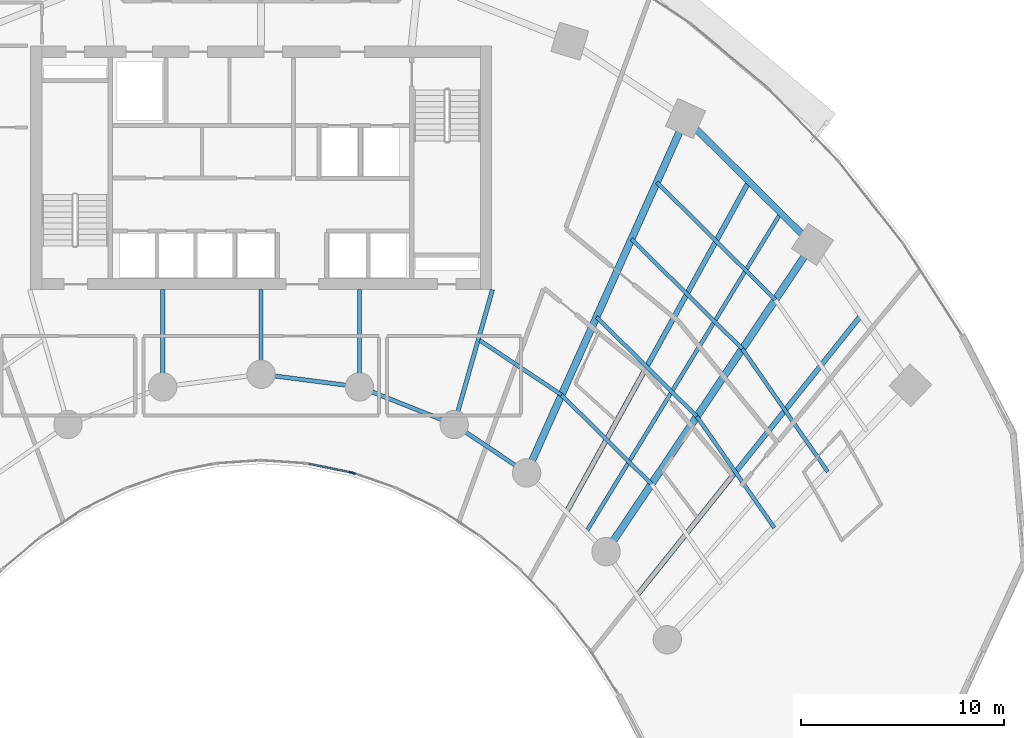
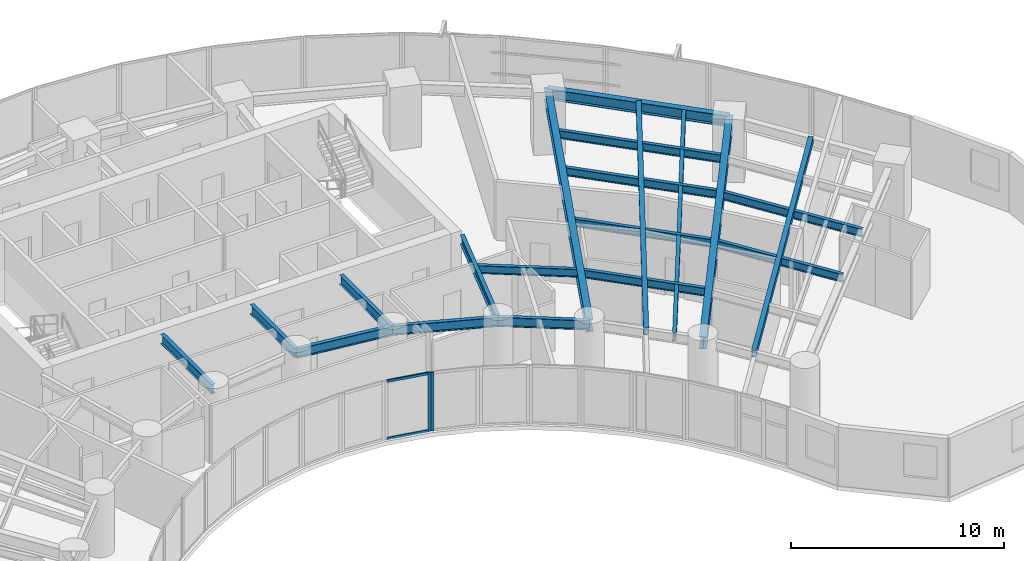
# One storey, part 5 of 17: 20 beams, 4 members, 2 elements without a shape of their own.
"""IFC4 building model written with IfcOpenShell, lengths in metres."""

from ifc_helpers import new_model, si_unit, direction, frame, origin, origin_2d, place, context, subcontext, project, spatial, rectangle, hollow_rectangle, i_section, extrude, source, transform, mapped, material, layer, layer_set, material_profile, profile_set, type_object, type_shapes, element, aggregate, save


model = new_model("IFC4")

# Units and contexts
model_context = context("Model", 3, precision=1e-05, world=origin(), true_north=direction((0.0, 1.0)))
body_context = subcontext(model_context, "Body", "Model", "MODEL_VIEW")
ifc_project = project(units=[si_unit("LENGTHUNIT", "METRE"), si_unit("AREAUNIT", "SQUARE_METRE"), si_unit("VOLUMEUNIT", "CUBIC_METRE"), si_unit("PLANEANGLEUNIT", "RADIAN"), si_unit("MASSUNIT", "GRAM", prefix="KILO")], contexts=[model_context])

# Site, building, storey
site_placement = place(None, origin())
site = spatial("IfcSite", under=ifc_project, at=site_placement, CompositionType="ELEMENT")
building_placement = place(site_placement, origin())
building = spatial("IfcBuilding", under=site, at=building_placement, Name="Breltana Convention Tower", CompositionType="ELEMENT")
storey_placement = place(building_placement, frame((0.0, 0.0, 75.0)))
storey = spatial("IfcBuildingStorey", under=building, at=storey_placement, Name="L17", CompositionType="ELEMENT", Elevation=75.0)

# Beams
ifc_material_1 = material(Name="Steel ASTM A992 Grade 50", Category="steel")
ifc_material_profile_1 = material_profile(ifc_material_1, i_section(OverallWidth=0.323974609375, OverallDepth=0.611083984375, WebThickness=0.0126953125, FlangeThickness=0.01904296875, at=origin_2d()), Name="W24X104")
ifc_profile_set_1 = profile_set([ifc_material_profile_1], Name="Steel ASTM A992 Grade 50")
beam_type_1 = type_object("IfcBeamType", Name="BM-SP-W24X104", PredefinedType="SPANDREL", material=ifc_profile_set_1)
shared_shape_1 = source(origin(), body_context, "Body", "SweptSolid", [
    extrude(i_section(OverallWidth=0.323974609375, OverallDepth=0.611083984375, WebThickness=0.0126953125, FlangeThickness=0.01904296875, at=origin_2d()), origin(), (0.0, 0.0, 1.0), 8.810302734375),
])
beam_1_placement = place(storey_placement, frame((68.910400390625, 68.63330078125, 3.054443359375), z_axis=(0.710120823582, -0.704079836322, 0.0), x_axis=(0.704079836322, 0.710120823582, 0.0)))
element("IfcBeam", 1, at=beam_1_placement, inside=storey, type_object=beam_type_1, Name="L17 Outer Spandrel Beam 09", PredefinedType="SPANDREL", context=body_context, shape_type="MappedRepresentation", body=[
    mapped(shared_shape_1, transform((0.0, 0.0, 0.0), scale=1.0)),
])
ifc_material_profile_2 = material_profile(ifc_material_1, i_section(OverallWidth=0.2099609375, OverallDepth=0.537109375, WebThickness=0.010986328125, FlangeThickness=0.017333984375, at=origin_2d()), Name="W21X68")
ifc_profile_set_2 = profile_set([ifc_material_profile_2], Name="Steel ASTM A992 Grade 50")
beam_type_2 = type_object("IfcBeamType", Name="BM-BM-W21X68", PredefinedType="BEAM", material=ifc_profile_set_2)
shared_shape_2 = source(origin(), body_context, "Body", "SweptSolid", [
    extrude(i_section(OverallWidth=0.2099609375, OverallDepth=0.537109375, WebThickness=0.010986328125, FlangeThickness=0.017333984375, at=origin_2d()), origin(), (0.0, 0.0, 1.0), 6.904541015625),
])
type_shapes(beam_type_2, [shared_shape_2])
beam_2_placement = place(storey_placement, frame((59.39990234375, 60.199951171875, 3.091552734375), z_axis=(-0.273006781054, -0.962012108811, 0.0), x_axis=(0.962012108811, -0.273006781054, 0.0)))
element("IfcBeam", 2, at=beam_2_placement, inside=storey, type_object=beam_type_2, Name="L17 South Core Tie Girder R08", PredefinedType="BEAM", context=body_context, shape_type="MappedRepresentation", body=[
    mapped(shared_shape_2, transform((0.0, 0.0, 0.0), scale=1.0)),
])
shared_shape_3 = source(origin(), body_context, "Body", "SweptSolid", [
    extrude(i_section(OverallWidth=0.2099609375, OverallDepth=0.537109375, WebThickness=0.010986328125, FlangeThickness=0.017333984375, at=origin_2d()), origin(), (0.0, 0.0, 1.0), 4.789306640625),
])
for number, where, z_axis, x_axis, name in (
    (3, (43.153564453125, 60.199951171875, 3.091552734375), (0.0, -1.0, 0.0), (1.0, 0.0, 0.0), "L17 South Core Tie Girder R05"),
    (4, (52.846435546875, 60.199951171875, 3.091552734375), (0.0, -1.0, 0.0), (1.0, 0.0, 0.0), "L17 South Core Tie Girder R07"),
):
    element("IfcBeam", number, at=place(storey_placement, frame(where, z_axis=z_axis, x_axis=x_axis)), inside=storey, type_object=beam_type_2, Name=name, PredefinedType="BEAM", context=body_context, shape_type="MappedRepresentation", body=[
        mapped(shared_shape_3, transform((0.0, 0.0, 0.0), scale=1.0)),
    ])
shared_shape_4 = source(origin(), body_context, "Body", "SweptSolid", [
    extrude(i_section(OverallWidth=0.2099609375, OverallDepth=0.537109375, WebThickness=0.010986328125, FlangeThickness=0.017333984375, at=origin_2d()), origin(), (0.0, 0.0, 1.0), 4.1640625),
])
beam_3_placement = place(storey_placement, frame((48.0, 60.199951171875, 3.091552734375), z_axis=(0.0, -1.0, 0.0), x_axis=(1.0, 0.0, 0.0)))
element("IfcBeam", 5, at=beam_3_placement, inside=storey, type_object=beam_type_2, Name="L17 South Core Tie Girder R06", PredefinedType="BEAM", context=body_context, shape_type="MappedRepresentation", body=[
    mapped(shared_shape_4, transform((0.0, 0.0, 0.0), scale=1.0)),
])
ifc_material_profile_3 = material_profile(ifc_material_1, i_section(OverallWidth=0.35498046875, OverallDepth=0.696044921875, WebThickness=0.015380859375, FlangeThickness=0.02490234375, at=origin_2d()), Name="W27X146")
ifc_profile_set_3 = profile_set([ifc_material_profile_3], Name="Steel ASTM A992 Grade 50")
beam_type_3 = type_object("IfcBeamType", Name="BM-RG-W27X146", PredefinedType="USERDEFINED", material=ifc_profile_set_3)
shared_shape_5 = source(origin(), body_context, "Body", "SweptSolid", [
    extrude(i_section(OverallWidth=0.35498046875, OverallDepth=0.696044921875, WebThickness=0.015380859375, FlangeThickness=0.02490234375, at=origin_2d()), origin(), (0.0, 0.0, 1.0), 19.133544921875),
])
beam_4_placement = place(storey_placement, frame((61.08203125, 51.174560546875, 3.011962890625), z_axis=(0.409144564164, 0.912469575172, 0.0), x_axis=(-0.912469575172, 0.409144564164, 0.0)))
element("IfcBeam", 6, at=beam_4_placement, inside=storey, type_object=beam_type_3, Name="L17 Radial Floor Girder R09", ObjectType="GIRDER", PredefinedType="USERDEFINED", context=body_context, shape_type="MappedRepresentation", body=[
    mapped(shared_shape_5, transform((0.0, 0.0, 0.0), scale=1.0)),
])
shared_shape_6 = source(origin(), body_context, "Body", "SweptSolid", [
    extrude(i_section(OverallWidth=0.35498046875, OverallDepth=0.696044921875, WebThickness=0.015380859375, FlangeThickness=0.02490234375, at=origin_2d()), origin(), (0.0, 0.0, 1.0), 18.236328125),
])
beam_5_placement = place(storey_placement, frame((64.995849609375, 47.293701171875, 3.011962890625), z_axis=(0.557730360975, 0.830022195153, 0.0), x_axis=(-0.830022195153, 0.557730360975, 0.0)))
element("IfcBeam", 7, at=beam_5_placement, inside=storey, type_object=beam_type_3, Name="L17 Radial Floor Girder R10", ObjectType="GIRDER", PredefinedType="USERDEFINED", context=body_context, shape_type="MappedRepresentation", body=[
    mapped(shared_shape_6, transform((0.0, 0.0, 0.0), scale=1.0)),
])
shared_shape_7 = source(origin(), body_context, "Body", "SweptSolid", [
    extrude(i_section(OverallWidth=0.2099609375, OverallDepth=0.537109375, WebThickness=0.010986328125, FlangeThickness=0.017333984375, at=origin_2d()), origin(), (0.0, 0.0, 1.0), 5.022705078125),
])
beam_6_placement = place(storey_placement, frame((52.846435546875, 55.41064453125, 3.091552734375), z_axis=(0.929458966248, -0.368925507469, 0.0), x_axis=(0.368925507469, 0.929458966248, 0.0)))
element("IfcBeam", 8, at=beam_6_placement, inside=storey, type_object=beam_type_2, Name="L17 Inner Ring Beam 07", PredefinedType="BEAM", context=body_context, shape_type="MappedRepresentation", body=[
    mapped(shared_shape_7, transform((0.0, 0.0, 0.0), scale=1.0)),
])
shared_shape_8 = source(origin(), body_context, "Body", "SweptSolid", [
    extrude(i_section(OverallWidth=0.2099609375, OverallDepth=0.537109375, WebThickness=0.010986328125, FlangeThickness=0.017333984375, at=origin_2d()), origin(), (0.0, 0.0, 1.0), 4.88671875),
])
beam_7_placement = place(storey_placement, frame((48.0, 56.035888671875, 3.091552734375), z_axis=(0.991780525565, -0.127950729231, 0.0), x_axis=(0.127950729231, 0.991780525565, 0.0)))
element("IfcBeam", 9, at=beam_7_placement, inside=storey, type_object=beam_type_2, Name="L17 Inner Ring Beam 06", PredefinedType="BEAM", context=body_context, shape_type="MappedRepresentation", body=[
    mapped(shared_shape_8, transform((0.0, 0.0, 0.0), scale=1.0)),
])
shared_shape_9 = source(origin(), body_context, "Body", "SweptSolid", [
    extrude(i_section(OverallWidth=0.2099609375, OverallDepth=0.537109375, WebThickness=0.010986328125, FlangeThickness=0.017333984375, at=origin_2d()), origin(), (0.0, 0.0, 1.0), 4.2900390625),
])
beam_8_placement = place(storey_placement, frame((57.514892578125, 53.5576171875, 3.091552734375), z_axis=(0.831515827753, -0.555501060482, 0.0), x_axis=(0.555501060482, 0.831515827753, 0.0)))
element("IfcBeam", 10, at=beam_8_placement, inside=storey, type_object=beam_type_2, Name="L17 Inner Ring Beam 08", PredefinedType="BEAM", context=body_context, shape_type="MappedRepresentation", body=[
    mapped(shared_shape_9, transform((0.0, 0.0, 0.0), scale=1.0)),
])
ifc_material_profile_4 = material_profile(ifc_material_1, i_section(OverallWidth=0.19091796875, OverallDepth=0.4599609375, WebThickness=0.010009765625, FlangeThickness=0.01611328125, at=origin_2d()), Name="W18X55")
ifc_profile_set_4 = profile_set([ifc_material_profile_4], Name="Steel ASTM A992 Grade 50")
beam_type_4 = type_object("IfcBeamType", Name="BM-JSG-07", PredefinedType="JOIST", material=ifc_profile_set_4)
shared_shape_10 = source(origin(), body_context, "Body", "SweptSolid", [
    extrude(i_section(OverallWidth=0.19091796875, OverallDepth=0.4599609375, WebThickness=0.010009765625, FlangeThickness=0.01611328125, at=origin_2d()), origin(), (0.0, 0.0, 1.0), 4.854736328125),
])
beam_9_placement = place(storey_placement, frame((58.767578125, 57.71240234375, 3.1298828125), z_axis=(0.831485074305, -0.555547091801, 0.0), x_axis=(0.555547091801, 0.831485074305, 0.0)))
element("IfcBeam", 11, at=beam_9_placement, inside=storey, type_object=beam_type_4, Name="L17 Composite Floor Joist 08.1", PredefinedType="JOIST", context=body_context, shape_type="MappedRepresentation", body=[
    mapped(shared_shape_10, transform((0.0, 0.0, 0.0), scale=1.0)),
])
shared_shape_11 = source(origin(), body_context, "Body", "SweptSolid", [
    extrude(i_section(OverallWidth=0.19091796875, OverallDepth=0.4599609375, WebThickness=0.010009765625, FlangeThickness=0.01611328125, at=origin_2d()), origin(), (0.0, 0.0, 1.0), 6.2373046875),
])
beam_10_placement = place(storey_placement, frame((62.80419921875, 55.015380859375, 3.1298828125), z_axis=(0.710114292485, -0.704086423394, 0.0), x_axis=(0.704086423394, 0.710114292485, 0.0)))
element("IfcBeam", 12, at=beam_10_placement, inside=storey, type_object=beam_type_4, Name="L17 Composite Floor Joist 09.1", PredefinedType="JOIST", context=body_context, shape_type="MappedRepresentation", body=[
    mapped(shared_shape_11, transform((0.0, 0.0, 0.0), scale=1.0)),
])
shared_shape_12 = source(origin(), body_context, "Body", "SweptSolid", [
    extrude(i_section(OverallWidth=0.19091796875, OverallDepth=0.4599609375, WebThickness=0.010009765625, FlangeThickness=0.01611328125, at=origin_2d()), origin(), (0.0, 0.0, 1.0), 6.963134765625),
])
beam_11_placement = place(storey_placement, frame((64.526611328125, 58.8564453125, 3.1298828125), z_axis=(0.71009817493, -0.704102678564, 0.0), x_axis=(0.704102678564, 0.71009817493, 0.0)))
element("IfcBeam", 13, at=beam_11_placement, inside=storey, type_object=beam_type_4, Name="L17 Composite Floor Joist 09.2", PredefinedType="JOIST", context=body_context, shape_type="MappedRepresentation", body=[
    mapped(shared_shape_12, transform((0.0, 0.0, 0.0), scale=1.0)),
])
shared_shape_13 = source(origin(), body_context, "Body", "SweptSolid", [
    extrude(i_section(OverallWidth=0.19091796875, OverallDepth=0.4599609375, WebThickness=0.010009765625, FlangeThickness=0.01611328125, at=origin_2d()), origin(), (0.0, 0.0, 1.0), 7.688720703125),
])
beam_12_placement = place(storey_placement, frame((66.248779296875, 62.697265625, 3.1298828125), z_axis=(0.710101109809, -0.704099718682, 0.0), x_axis=(0.704099718682, 0.710101109809, 0.0)))
element("IfcBeam", 14, at=beam_12_placement, inside=storey, type_object=beam_type_4, Name="L17 Composite Floor Joist 09.3", PredefinedType="JOIST", context=body_context, shape_type="MappedRepresentation", body=[
    mapped(shared_shape_13, transform((0.0, 0.0, 0.0), scale=1.0)),
])
shared_shape_14 = source(origin(), body_context, "Body", "SweptSolid", [
    extrude(i_section(OverallWidth=0.19091796875, OverallDepth=0.4599609375, WebThickness=0.010009765625, FlangeThickness=0.01611328125, at=origin_2d()), origin(), (0.0, 0.0, 1.0), 8.21630859375),
])
beam_13_placement = place(storey_placement, frame((67.50146484375, 65.49072265625, 3.1298828125), z_axis=(0.710101511063, -0.704099314008, 0.0), x_axis=(0.704099314008, 0.710101511063, 0.0)))
element("IfcBeam", 15, at=beam_13_placement, inside=storey, type_object=beam_type_4, Name="L17 Composite Floor Joist 09.4", PredefinedType="JOIST", context=body_context, shape_type="MappedRepresentation", body=[
    mapped(shared_shape_14, transform((0.0, 0.0, 0.0), scale=1.0)),
])
ifc_material_profile_5 = material_profile(ifc_material_1, hollow_rectangle(XDim=0.25, YDim=0.35009765625, WallThickness=0.011962890625, at=origin_2d()), Name="RHS350X250X12")
ifc_profile_set_5 = profile_set([ifc_material_profile_5], Name="Steel ASTM A992 Grade 50")
beam_type_5 = type_object("IfcBeamType", Name="BM-JSG-12", PredefinedType="JOIST", material=ifc_profile_set_5)
shared_shape_15 = source(origin(), body_context, "Body", "SweptSolid", [
    extrude(hollow_rectangle(XDim=0.25, YDim=0.35009765625, WallThickness=0.011962890625, at=origin_2d()), origin(), (0.0, 0.0, 1.0), 18.617431640625),
])
beam_14_placement = place(storey_placement, frame((63.038818359375, 49.234130859375, 3.18505859375), z_axis=(0.483405602507, 0.875396495004, 0.0), x_axis=(-0.875396495004, 0.483405602507, 0.0)))
element("IfcBeam", 16, at=beam_14_placement, inside=storey, type_object=beam_type_5, Name="L17 Mid-Bay Radial Trimmer 09", PredefinedType="JOIST", context=body_context, shape_type="MappedRepresentation", body=[
    mapped(shared_shape_15, transform((0.0, 0.0, 0.0), scale=1.0)),
])
shared_shape_16 = source(origin(), body_context, "Body", "SweptSolid", [
    extrude(i_section(OverallWidth=0.19091796875, OverallDepth=0.4599609375, WebThickness=0.010009765625, FlangeThickness=0.01611328125, at=origin_2d()), origin(), (0.0, 0.0, 1.0), 18.409423828125),
])
beam_15_placement = place(storey_placement, frame((64.017333984375, 48.263916015625, 3.1298828125), z_axis=(0.520682167606, 0.853750596098, 0.0), x_axis=(-0.853750596098, 0.520682167606, 0.0)))
element("IfcBeam", 17, at=beam_15_placement, inside=storey, type_object=beam_type_4, Name="L17 Quarter-Bay Radial Trimmer 09", PredefinedType="JOIST", context=body_context, shape_type="MappedRepresentation", body=[
    mapped(shared_shape_16, transform((0.0, 0.0, 0.0), scale=1.0)),
])
shared_shape_17 = source(origin(), body_context, "Body", "SweptSolid", [
    extrude(i_section(OverallWidth=0.19091796875, OverallDepth=0.4599609375, WebThickness=0.010009765625, FlangeThickness=0.01611328125, at=origin_2d()), origin(), (0.0, 0.0, 1.0), 6.677978515625),
])
beam_16_placement = place(storey_placement, frame((69.47119140625, 53.95361328125, 3.1298828125), z_axis=(0.571193018768, -0.820815774282, 0.0), x_axis=(0.820815774282, 0.571193018768, 0.0)))
element("IfcBeam", 18, at=beam_16_placement, inside=storey, type_object=beam_type_4, Name="L17 Composite Floor Joist 10.2", PredefinedType="JOIST", context=body_context, shape_type="MappedRepresentation", body=[
    mapped(shared_shape_17, transform((0.0, 0.0, 0.0), scale=1.0)),
])
shared_shape_18 = source(origin(), body_context, "Body", "SweptSolid", [
    extrude(i_section(OverallWidth=0.19091796875, OverallDepth=0.4599609375, WebThickness=0.010009765625, FlangeThickness=0.01611328125, at=origin_2d()), origin(), (0.0, 0.0, 1.0), 7.374267578125),
])
beam_17_placement = place(storey_placement, frame((71.70849609375, 57.28369140625, 3.1298828125), z_axis=(0.571229379406, -0.820790470281, 0.0), x_axis=(0.820790470281, 0.571229379406, 0.0)))
element("IfcBeam", 19, at=beam_17_placement, inside=storey, type_object=beam_type_4, Name="L17 Composite Floor Joist 10.3", PredefinedType="JOIST", context=body_context, shape_type="MappedRepresentation", body=[
    mapped(shared_shape_18, transform((0.0, 0.0, 0.0), scale=1.0)),
])
shared_shape_19 = source(origin(), body_context, "Body", "SweptSolid", [
    extrude(hollow_rectangle(XDim=0.25, YDim=0.35009765625, WallThickness=0.011962890625, at=origin_2d()), origin(), (0.0, 0.0, 1.0), 17.7236328125),
])
beam_18_placement = place(storey_placement, frame((66.505615234375, 45.124267578125, 3.18505859375), z_axis=(0.624829427563, 0.78076128647, 0.0), x_axis=(-0.78076128647, 0.624829427563, 0.0)))
element("IfcBeam", 20, at=beam_18_placement, inside=storey, type_object=beam_type_5, Name="L17 Mid-Bay Radial Trimmer 10", PredefinedType="JOIST", context=body_context, shape_type="MappedRepresentation", body=[
    mapped(shared_shape_19, transform((0.0, 0.0, 0.0), scale=1.0)),
])

# Curtain wall, member
ifc_material_2 = material(Name="Aluminium Anodised Bronze Frame", Category="aluminium")
ifc_layer = layer(ifc_material_2, 0.18994140625, Name="Aluminium Anodised Bronze Frame")
ifc_layer_set = layer_set([ifc_layer], Name="Aluminium Anodised Bronze Frame")
curtain_wall_type = type_object("IfcCurtainWallType", Name="CW-SYS-1", PredefinedType="NOTDEFINED", material=ifc_layer_set)
curtain_wall_1_placement = place(storey_placement, origin())
curtain_wall_1 = element("IfcCurtainWall", 21, at=curtain_wall_1_placement, inside=storey, type_object=curtain_wall_type, Name="L17 inner south-court glazing 7", PredefinedType="NOTDEFINED")
ifc_material_3 = material(Name="Aluminium Anodised Bronze", Category="aluminium")
ifc_material_profile_6 = material_profile(ifc_material_3, rectangle(XDim=0.080078125, YDim=0.199951171875, at=origin_2d()), Name="CWM-80X200")
ifc_profile_set_6 = profile_set([ifc_material_profile_6], Name="Aluminium Anodised Bronze")
member_type_1 = type_object("IfcMemberType", Name="CWM-200", PredefinedType="MULLION", material=ifc_profile_set_6)
shared_shape_20 = source(origin(), body_context, "Body", "SweptSolid", [
    extrude(rectangle(XDim=0.080078125, YDim=0.199951171875, at=origin_2d()), origin(), (0.0, 0.0, 1.0), 3.360107421875),
])
member_1_placement = place(storey_placement, frame((52.54052734375, 51.166015625, 0.0), z_axis=(0.0, 0.0, 1.0), x_axis=(-0.327413341714, -0.944881211406, 0.0)))
member_1 = element("IfcMember", 22, at=member_1_placement, type_object=member_type_1, Name="CW-01 mullion 2", PredefinedType="MULLION", context=body_context, shape_type="MappedRepresentation", body=[
    mapped(shared_shape_20, transform((0.0, 0.0, 0.0), scale=1.0)),
])
aggregate(curtain_wall_1, [member_1])

# Curtain wall, members
curtain_wall_2_placement = place(storey_placement, origin())
curtain_wall_2 = element("IfcCurtainWall", 23, at=curtain_wall_2_placement, inside=storey, type_object=curtain_wall_type, Name="L17 inner south-court glazing 8", PredefinedType="NOTDEFINED")
member_2_placement = place(storey_placement, frame((52.44091796875, 51.193359375, 0.0), z_axis=(0.0, 0.0, 1.0), x_axis=(-0.200886350278, -0.97961455393, 0.0)))
member_2 = element("IfcMember", 24, at=member_2_placement, type_object=member_type_1, Name="CW-01 mullion 1", PredefinedType="MULLION", context=body_context, shape_type="MappedRepresentation", body=[
    mapped(shared_shape_20, transform((0.0, 0.0, 0.0), scale=1.0)),
])
ifc_material_profile_7 = material_profile(ifc_material_3, rectangle(XDim=0.080078125, YDim=0.139892578125, at=origin_2d()), Name="CWT-80X140")
ifc_profile_set_7 = profile_set([ifc_material_profile_7], Name="Aluminium Anodised Bronze")
member_type_2 = type_object("IfcMemberType", Name="CWT-140", PredefinedType="USERDEFINED", material=ifc_profile_set_7)
shared_shape_21 = source(origin(), body_context, "Body", "SweptSolid", [
    extrude(rectangle(XDim=0.080078125, YDim=0.139892578125, at=origin_2d()), origin(), (0.0, 0.0, 1.0), 2.096435546875),
])
member_3_placement = place(storey_placement, frame((52.401611328125, 51.201416015625, 0.0400390625), z_axis=(-0.979615042233, 0.200883969074, 0.0), x_axis=(-0.200883969074, -0.979615042233, 0.0)))
member_3 = element("IfcMember", 25, at=member_3_placement, type_object=member_type_2, Name="CW-01 transom 1.1", ObjectType="TRANSOM", PredefinedType="USERDEFINED", context=body_context, shape_type="MappedRepresentation", body=[
    mapped(shared_shape_21, transform((0.0, 0.0, 0.0), scale=1.0)),
])
member_4_placement = place(storey_placement, frame((52.401611328125, 51.201416015625, 3.320068359375), z_axis=(-0.979615042233, 0.200883969074, 0.0), x_axis=(-0.200883969074, -0.979615042233, 0.0)))
member_4 = element("IfcMember", 26, at=member_4_placement, type_object=member_type_2, Name="CW-01 transom 1.2", ObjectType="TRANSOM", PredefinedType="USERDEFINED", context=body_context, shape_type="MappedRepresentation", body=[
    mapped(shared_shape_21, transform((0.0, 0.0, 0.0), scale=1.0)),
])
aggregate(curtain_wall_2, [member_2, member_3, member_4])

save(model, "model.ifc")
